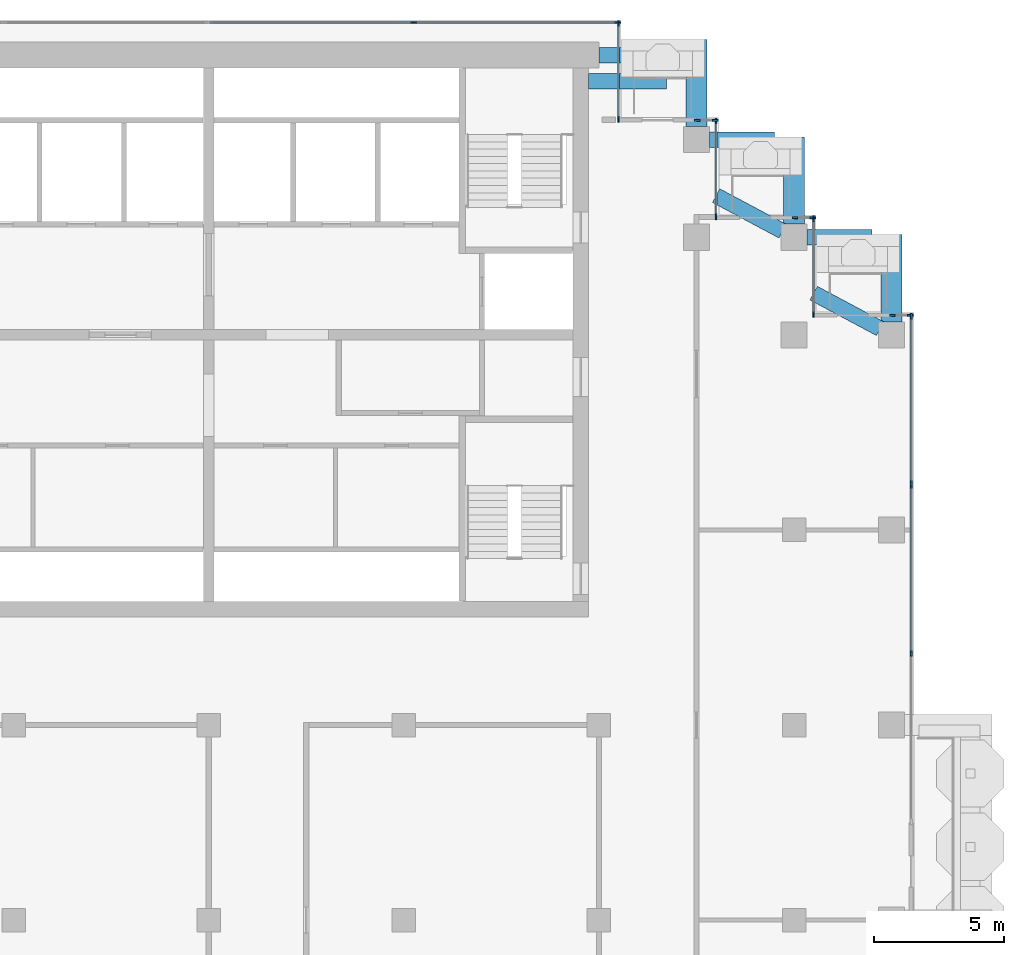
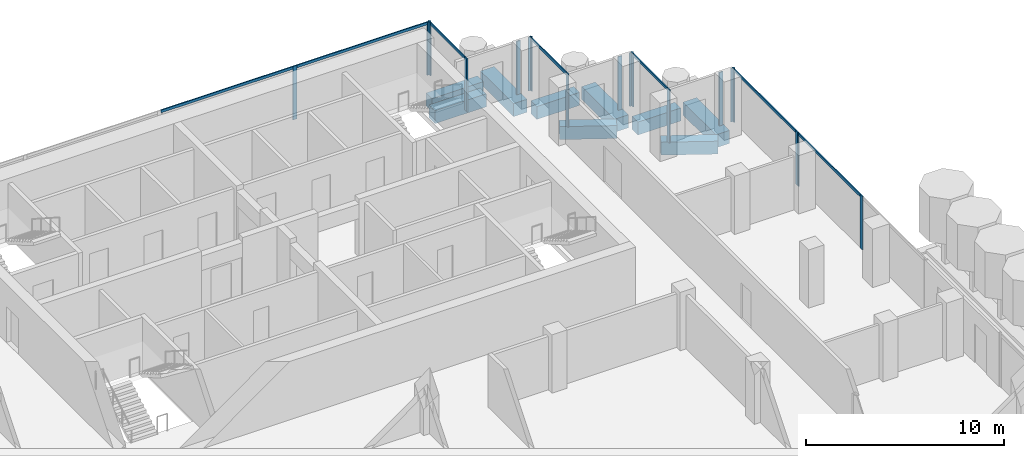
# One storey, part 6 of 17: 25 members, 9 beams, 9 elements without a shape of their own.
"""IFC4 building model written with IfcOpenShell, lengths in metres."""

from ifc_helpers import new_model, si_unit, direction, frame, origin, origin_2d, place, context, subcontext, project, spatial, rectangle, extrude, material, material_profile, profile_set, type_object, element, aggregate, save


model = new_model("IFC4")

# Units and contexts
model_context = context("Model", 3, precision=1e-05, world=origin(), true_north=direction((0.0, 1.0)))
body_context = subcontext(model_context, "Body", "Model", "MODEL_VIEW")
ifc_project = project(units=[si_unit("LENGTHUNIT", "METRE"), si_unit("AREAUNIT", "SQUARE_METRE"), si_unit("VOLUMEUNIT", "CUBIC_METRE"), si_unit("PLANEANGLEUNIT", "RADIAN"), si_unit("MASSUNIT", "GRAM", prefix="KILO")], contexts=[model_context])

# Site, building, storey
site_placement = place(None, origin())
site = spatial("IfcSite", under=ifc_project, at=site_placement, CompositionType="ELEMENT")
building_placement = place(site_placement, origin())
building = spatial("IfcBuilding", under=site, at=building_placement, Name="Pilkhan Gate Tower", CompositionType="ELEMENT")
storey_placement = place(building_placement, frame((0.0, 0.0, 213.89990234375)))
storey = spatial("IfcBuildingStorey", under=building, at=storey_placement, Name="L55", CompositionType="ELEMENT", Elevation=213.89990234375)

# Beams
ifc_material_1 = material(Name="Concrete C50/60", Category="concrete")
ifc_material_profile_1 = material_profile(ifc_material_1, rectangle(XDim=0.60009765625, YDim=0.800048828125, at=origin_2d()), Name="RC 600x800")
ifc_profile_set_1 = profile_set([ifc_material_profile_1], Name="Concrete C50/60")
beam_type_1 = type_object("IfcBeamType", Name="Cantilever beam CB1 RC 600x800 C50/60", PredefinedType="BEAM", material=ifc_profile_set_1)
for number, where, z_axis, x_axis, name in (
    (1, (90.0, 93.25, -0.699951171875), (1.0, 0.0, 0.0), (0.0, 1.0, 0.0), "Balcony beam NE.2 L55"),
    (2, (89.60009765625, 92.25, -0.699951171875), (1.0, 0.0, 0.0), (0.0, 1.0, 0.0), "Balcony beam NE.3 L55"),
):
    element("IfcBeam", number, at=place(storey_placement, frame(where, z_axis=z_axis, x_axis=x_axis)), inside=storey, type_object=beam_type_1, Name=name, PredefinedType="BEAM", context=body_context, shape_type="SweptSolid", body=[
        extrude(rectangle(XDim=0.60009765625, YDim=0.800048828125, at=origin_2d()), origin(), (0.0, 0.0, 1.0), 3.0),
    ])
beam_1_placement = place(storey_placement, frame((94.25, 90.0, -0.699951171875), z_axis=(1.0, 0.0, 0.0), x_axis=(0.0, 1.0, 0.0)))
element("IfcBeam", 3, at=beam_1_placement, inside=storey, type_object=beam_type_1, Name="Balcony beam NE1.2 L55", PredefinedType="BEAM", context=body_context, shape_type="SweptSolid", body=[
    extrude(rectangle(XDim=0.60009765625, YDim=0.800048828125, at=origin_2d()), origin(), (0.0, 0.0, 1.0), 2.5),
])
beam_2_placement = place(storey_placement, frame((97.058837890625, 86.4853515625, -0.699951171875), z_axis=(-0.882348280344, 0.470596974251, 0.0), x_axis=(-0.470596974251, -0.882348280344, 0.0)))
element("IfcBeam", 4, at=beam_2_placement, inside=storey, type_object=beam_type_1, Name="Balcony beam NE1.3 L55", PredefinedType="BEAM", context=body_context, shape_type="SweptSolid", body=[
    extrude(rectangle(XDim=0.60009765625, YDim=0.800048828125, at=origin_2d()), origin(), (0.0, 0.0, 1.0), 2.900146484375),
])
beam_3_placement = place(storey_placement, frame((98.0, 86.25, -0.699951171875), z_axis=(1.0, 0.0, 0.0), x_axis=(0.0, 1.0, 0.0)))
element("IfcBeam", 5, at=beam_3_placement, inside=storey, type_object=beam_type_1, Name="Balcony beam NE2.2 L55", PredefinedType="BEAM", context=body_context, shape_type="SweptSolid", body=[
    extrude(rectangle(XDim=0.60009765625, YDim=0.800048828125, at=origin_2d()), origin(), (0.0, 0.0, 1.0), 2.5),
])
beam_4_placement = place(storey_placement, frame((100.808837890625, 82.7353515625, -0.699951171875), z_axis=(-0.882348280344, 0.470596974251, 0.0), x_axis=(-0.470596974251, -0.882348280344, 0.0)))
element("IfcBeam", 6, at=beam_4_placement, inside=storey, type_object=beam_type_1, Name="Balcony beam NE2.3 L55", PredefinedType="BEAM", context=body_context, shape_type="SweptSolid", body=[
    extrude(rectangle(XDim=0.60009765625, YDim=0.800048828125, at=origin_2d()), origin(), (0.0, 0.0, 1.0), 2.900146484375),
])
ifc_material_profile_2 = material_profile(ifc_material_1, rectangle(XDim=0.800048828125, YDim=0.800048828125, at=origin_2d()), Name="RC 800x800")
ifc_profile_set_2 = profile_set([ifc_material_profile_2], Name="Concrete C50/60")
beam_type_2 = type_object("IfcBeamType", Name="Cantilever beam CB2 RC 800x800 C50/60", PredefinedType="BEAM", material=ifc_profile_set_2)
for number, where, z_axis, x_axis, name in (
    (7, (93.75, 90.5, -0.699951171875), (0.0, 1.0, 0.0), (-1.0, 0.0, 0.0), "Balcony beam NE.1 L55"),
    (8, (97.5, 86.75, -0.699951171875), (0.0, 1.0, 0.0), (-1.0, 0.0, 0.0), "Balcony beam NE1.1 L55"),
    (9, (101.25, 83.0, -0.699951171875), (0.0, 1.0, 0.0), (-1.0, 0.0, 0.0), "Balcony beam NE2.1 L55"),
):
    element("IfcBeam", number, at=place(storey_placement, frame(where, z_axis=z_axis, x_axis=x_axis)), inside=storey, type_object=beam_type_2, Name=name, PredefinedType="BEAM", context=body_context, shape_type="SweptSolid", body=[
        extrude(rectangle(XDim=0.800048828125, YDim=0.800048828125, at=origin_2d()), origin(), (0.0, 0.0, 1.0), 3.35009765625),
    ])

# Curtain wall, members
ifc_material_2 = material(Name="Pale anodised aluminium, clear low-iron double glazing", Category="aluminium")
curtain_wall_type = type_object("IfcCurtainWallType", Name="Office unitised curtain wall CW-O2", PredefinedType="USERDEFINED", material=ifc_material_2)
curtain_wall_1_placement = place(storey_placement, origin())
curtain_wall_1 = element("IfcCurtainWall", 10, at=curtain_wall_1_placement, inside=storey, type_object=curtain_wall_type, Name="Office unitised curtain wall CW-O2 L55 E", ObjectType="UNITISED CURTAIN WALL", PredefinedType="USERDEFINED")
ifc_material_3 = material(Name="Pale anodised aluminium", Category="aluminium")
ifc_material_profile_3 = material_profile(ifc_material_3, rectangle(XDim=0.06494140625, YDim=0.22509765625, at=origin_2d()), Name="Mullion 225x65")
ifc_profile_set_3 = profile_set([ifc_material_profile_3], Name="Pale anodised aluminium")
member_type_1 = type_object("IfcMemberType", Name="Mullion CW-O2 225x65", PredefinedType="MULLION", material=ifc_profile_set_3)
member_1_placement = place(storey_placement, frame((102.0, 70.25, 0.0), z_axis=(0.0, 0.0, 1.0), x_axis=(-1.0, 0.0, 0.0)))
member_1 = element("IfcMember", 11, at=member_1_placement, type_object=member_type_1, Name="CW-O2 mullion 2", PredefinedType="MULLION", context=body_context, shape_type="SweptSolid", body=[
    extrude(rectangle(XDim=0.06494140625, YDim=0.22509765625, at=origin_2d()), origin(), (0.0, 0.0, 1.0), 3.300048828125),
])
member_2_placement = place(storey_placement, frame((102.0, 76.717529296875, 0.0), z_axis=(0.0, 0.0, 1.0), x_axis=(-1.0, 0.0, 0.0)))
member_2 = element("IfcMember", 12, at=member_2_placement, type_object=member_type_1, Name="CW-O2 mullion 3", PredefinedType="MULLION", context=body_context, shape_type="SweptSolid", body=[
    extrude(rectangle(XDim=0.06494140625, YDim=0.22509765625, at=origin_2d()), origin(), (0.0, 0.0, 1.0), 3.300048828125),
])

curtain_wall_2_placement = place(storey_placement, origin())
curtain_wall_2 = element("IfcCurtainWall", 13, at=curtain_wall_2_placement, inside=storey, type_object=curtain_wall_type, Name="Office unitised curtain wall CW-O2 L55 E", ObjectType="UNITISED CURTAIN WALL", PredefinedType="USERDEFINED")
member_3_placement = place(storey_placement, frame((102.0, 76.782470703125, 0.0), z_axis=(0.0, 0.0, 1.0), x_axis=(-1.0, 0.0, 0.0)))
member_3 = element("IfcMember", 14, at=member_3_placement, type_object=member_type_1, Name="CW-O2 mullion 1", PredefinedType="MULLION", context=body_context, shape_type="SweptSolid", body=[
    extrude(rectangle(XDim=0.06494140625, YDim=0.22509765625, at=origin_2d()), origin(), (0.0, 0.0, 1.0), 3.300048828125),
])
member_4_placement = place(storey_placement, frame((102.0, 83.217529296875, 0.0), z_axis=(0.0, 0.0, 1.0), x_axis=(-1.0, 0.0, 0.0)))
member_4 = element("IfcMember", 15, at=member_4_placement, type_object=member_type_1, Name="CW-O2 mullion 2", PredefinedType="MULLION", context=body_context, shape_type="SweptSolid", body=[
    extrude(rectangle(XDim=0.06494140625, YDim=0.22509765625, at=origin_2d()), origin(), (0.0, 0.0, 1.0), 3.300048828125),
])

curtain_wall_3_placement = place(storey_placement, origin())
curtain_wall_3 = element("IfcCurtainWall", 16, at=curtain_wall_3_placement, inside=storey, type_object=curtain_wall_type, Name="Office unitised curtain wall CW-O2 L55 N", ObjectType="UNITISED CURTAIN WALL", PredefinedType="USERDEFINED")
member_5_placement = place(storey_placement, frame((101.282470703125, 83.25, 0.0), z_axis=(0.0, 0.0, 1.0), x_axis=(0.0, 1.0, 0.0)))
member_5 = element("IfcMember", 17, at=member_5_placement, type_object=member_type_1, Name="CW-O2 mullion 1", PredefinedType="MULLION", context=body_context, shape_type="SweptSolid", body=[
    extrude(rectangle(XDim=0.06494140625, YDim=0.22509765625, at=origin_2d()), origin(), (0.0, 0.0, 1.0), 3.300048828125),
])
member_6_placement = place(storey_placement, frame((101.967529296875, 83.25, 0.0), z_axis=(0.0, 0.0, 1.0), x_axis=(0.0, 1.0, 0.0)))
member_6 = element("IfcMember", 18, at=member_6_placement, type_object=member_type_1, Name="CW-O2 mullion 2", PredefinedType="MULLION", context=body_context, shape_type="SweptSolid", body=[
    extrude(rectangle(XDim=0.06494140625, YDim=0.22509765625, at=origin_2d()), origin(), (0.0, 0.0, 1.0), 3.300048828125),
])
aggregate(curtain_wall_3, [member_5, member_6])

curtain_wall_4_placement = place(storey_placement, origin())
curtain_wall_4 = element("IfcCurtainWall", 19, at=curtain_wall_4_placement, inside=storey, type_object=curtain_wall_type, Name="Office unitised curtain wall CW-O2 L55 E", ObjectType="UNITISED CURTAIN WALL", PredefinedType="USERDEFINED")
member_7_placement = place(storey_placement, frame((98.25, 83.282470703125, 0.0), z_axis=(0.0, 0.0, 1.0), x_axis=(-1.0, 0.0, 0.0)))
member_7 = element("IfcMember", 20, at=member_7_placement, type_object=member_type_1, Name="CW-O2 mullion 1", PredefinedType="MULLION", context=body_context, shape_type="SweptSolid", body=[
    extrude(rectangle(XDim=0.06494140625, YDim=0.22509765625, at=origin_2d()), origin(), (0.0, 0.0, 1.0), 3.300048828125),
])
member_8_placement = place(storey_placement, frame((98.25, 86.967529296875, 0.0), z_axis=(0.0, 0.0, 1.0), x_axis=(-1.0, 0.0, 0.0)))
member_8 = element("IfcMember", 21, at=member_8_placement, type_object=member_type_1, Name="CW-O2 mullion 2", PredefinedType="MULLION", context=body_context, shape_type="SweptSolid", body=[
    extrude(rectangle(XDim=0.06494140625, YDim=0.22509765625, at=origin_2d()), origin(), (0.0, 0.0, 1.0), 3.300048828125),
])

curtain_wall_5_placement = place(storey_placement, origin())
curtain_wall_5 = element("IfcCurtainWall", 22, at=curtain_wall_5_placement, inside=storey, type_object=curtain_wall_type, Name="Office unitised curtain wall CW-O2 L55 N", ObjectType="UNITISED CURTAIN WALL", PredefinedType="USERDEFINED")
member_9_placement = place(storey_placement, frame((97.532470703125, 87.0, 0.0), z_axis=(0.0, 0.0, 1.0), x_axis=(0.0, 1.0, 0.0)))
member_9 = element("IfcMember", 23, at=member_9_placement, type_object=member_type_1, Name="CW-O2 mullion 1", PredefinedType="MULLION", context=body_context, shape_type="SweptSolid", body=[
    extrude(rectangle(XDim=0.06494140625, YDim=0.22509765625, at=origin_2d()), origin(), (0.0, 0.0, 1.0), 3.300048828125),
])
member_10_placement = place(storey_placement, frame((98.217529296875, 87.0, 0.0), z_axis=(0.0, 0.0, 1.0), x_axis=(0.0, 1.0, 0.0)))
member_10 = element("IfcMember", 24, at=member_10_placement, type_object=member_type_1, Name="CW-O2 mullion 2", PredefinedType="MULLION", context=body_context, shape_type="SweptSolid", body=[
    extrude(rectangle(XDim=0.06494140625, YDim=0.22509765625, at=origin_2d()), origin(), (0.0, 0.0, 1.0), 3.300048828125),
])
aggregate(curtain_wall_5, [member_9, member_10])

curtain_wall_6_placement = place(storey_placement, origin())
curtain_wall_6 = element("IfcCurtainWall", 25, at=curtain_wall_6_placement, inside=storey, type_object=curtain_wall_type, Name="Office unitised curtain wall CW-O2 L55 E", ObjectType="UNITISED CURTAIN WALL", PredefinedType="USERDEFINED")
member_11_placement = place(storey_placement, frame((94.5, 87.032470703125, 0.0), z_axis=(0.0, 0.0, 1.0), x_axis=(-1.0, 0.0, 0.0)))
member_11 = element("IfcMember", 26, at=member_11_placement, type_object=member_type_1, Name="CW-O2 mullion 1", PredefinedType="MULLION", context=body_context, shape_type="SweptSolid", body=[
    extrude(rectangle(XDim=0.06494140625, YDim=0.22509765625, at=origin_2d()), origin(), (0.0, 0.0, 1.0), 3.300048828125),
])
member_12_placement = place(storey_placement, frame((94.5, 90.717529296875, 0.0), z_axis=(0.0, 0.0, 1.0), x_axis=(-1.0, 0.0, 0.0)))
member_12 = element("IfcMember", 27, at=member_12_placement, type_object=member_type_1, Name="CW-O2 mullion 2", PredefinedType="MULLION", context=body_context, shape_type="SweptSolid", body=[
    extrude(rectangle(XDim=0.06494140625, YDim=0.22509765625, at=origin_2d()), origin(), (0.0, 0.0, 1.0), 3.300048828125),
])

curtain_wall_7_placement = place(storey_placement, origin())
curtain_wall_7 = element("IfcCurtainWall", 28, at=curtain_wall_7_placement, inside=storey, type_object=curtain_wall_type, Name="Office unitised curtain wall CW-O2 L55 N", ObjectType="UNITISED CURTAIN WALL", PredefinedType="USERDEFINED")
member_13_placement = place(storey_placement, frame((93.782470703125, 90.75, 0.0), z_axis=(0.0, 0.0, 1.0), x_axis=(0.0, 1.0, 0.0)))
member_13 = element("IfcMember", 29, at=member_13_placement, type_object=member_type_1, Name="CW-O2 mullion 1", PredefinedType="MULLION", context=body_context, shape_type="SweptSolid", body=[
    extrude(rectangle(XDim=0.06494140625, YDim=0.22509765625, at=origin_2d()), origin(), (0.0, 0.0, 1.0), 3.300048828125),
])
member_14_placement = place(storey_placement, frame((94.467529296875, 90.75, 0.0), z_axis=(0.0, 0.0, 1.0), x_axis=(0.0, 1.0, 0.0)))
member_14 = element("IfcMember", 30, at=member_14_placement, type_object=member_type_1, Name="CW-O2 mullion 2", PredefinedType="MULLION", context=body_context, shape_type="SweptSolid", body=[
    extrude(rectangle(XDim=0.06494140625, YDim=0.22509765625, at=origin_2d()), origin(), (0.0, 0.0, 1.0), 3.300048828125),
])
aggregate(curtain_wall_7, [member_13, member_14])

curtain_wall_8_placement = place(storey_placement, origin())
curtain_wall_8 = element("IfcCurtainWall", 31, at=curtain_wall_8_placement, inside=storey, type_object=curtain_wall_type, Name="Office unitised curtain wall CW-O2 L55 E", ObjectType="UNITISED CURTAIN WALL", PredefinedType="USERDEFINED")
member_15_placement = place(storey_placement, frame((90.75, 90.782470703125, 0.0), z_axis=(0.0, 0.0, 1.0), x_axis=(-1.0, 0.0, 0.0)))
member_15 = element("IfcMember", 32, at=member_15_placement, type_object=member_type_1, Name="CW-O2 mullion 1", PredefinedType="MULLION", context=body_context, shape_type="SweptSolid", body=[
    extrude(rectangle(XDim=0.06494140625, YDim=0.22509765625, at=origin_2d()), origin(), (0.0, 0.0, 1.0), 3.300048828125),
])
member_16_placement = place(storey_placement, frame((90.75, 94.467529296875, 0.0), z_axis=(0.0, 0.0, 1.0), x_axis=(-1.0, 0.0, 0.0)))
member_16 = element("IfcMember", 33, at=member_16_placement, type_object=member_type_1, Name="CW-O2 mullion 2", PredefinedType="MULLION", context=body_context, shape_type="SweptSolid", body=[
    extrude(rectangle(XDim=0.06494140625, YDim=0.22509765625, at=origin_2d()), origin(), (0.0, 0.0, 1.0), 3.300048828125),
])

curtain_wall_9_placement = place(storey_placement, origin())
curtain_wall_9 = element("IfcCurtainWall", 34, at=curtain_wall_9_placement, inside=storey, type_object=curtain_wall_type, Name="Office unitised curtain wall CW-O2 L55 N", ObjectType="UNITISED CURTAIN WALL", PredefinedType="USERDEFINED")
member_17_placement = place(storey_placement, frame((82.875, 94.5, 0.0), z_axis=(0.0, 0.0, 1.0), x_axis=(0.0, 1.0, 0.0)))
member_17 = element("IfcMember", 35, at=member_17_placement, type_object=member_type_1, Name="CW-O2 mullion 2", PredefinedType="MULLION", context=body_context, shape_type="SweptSolid", body=[
    extrude(rectangle(XDim=0.06494140625, YDim=0.22509765625, at=origin_2d()), origin(), (0.0, 0.0, 1.0), 3.300048828125),
])
member_18_placement = place(storey_placement, frame((90.717529296875, 94.5, 0.0), z_axis=(0.0, 0.0, 1.0), x_axis=(0.0, 1.0, 0.0)))
member_18 = element("IfcMember", 36, at=member_18_placement, type_object=member_type_1, Name="CW-O2 mullion 3", PredefinedType="MULLION", context=body_context, shape_type="SweptSolid", body=[
    extrude(rectangle(XDim=0.06494140625, YDim=0.22509765625, at=origin_2d()), origin(), (0.0, 0.0, 1.0), 3.300048828125),
])

# Member
ifc_material_profile_4 = material_profile(ifc_material_3, rectangle(XDim=0.06494140625, YDim=0.1650390625, at=origin_2d()), Name="Transom 165x65")
ifc_profile_set_4 = profile_set([ifc_material_profile_4], Name="Pale anodised aluminium")
member_type_2 = type_object("IfcMemberType", Name="Transom CW-O2 165x65", PredefinedType="USERDEFINED", material=ifc_profile_set_4)
member_19_placement = place(storey_placement, frame((102.0, 70.282470703125, 3.217529296875), z_axis=(0.0, 1.0, 0.0), x_axis=(-1.0, 0.0, 0.0)))
member_19 = element("IfcMember", 37, at=member_19_placement, type_object=member_type_2, Name="CW-O2 transom 2", ObjectType="TRANSOM", PredefinedType="USERDEFINED", context=body_context, shape_type="SweptSolid", body=[
    extrude(rectangle(XDim=0.06494140625, YDim=0.1650390625, at=origin_2d()), origin(), (0.0, 0.0, 1.0), 6.402587890625),
])

aggregate(curtain_wall_1, [member_1, member_2, member_19])

member_20_placement = place(storey_placement, frame((102.0, 76.81494140625, 3.217529296875), z_axis=(0.0, 1.0, 0.0), x_axis=(-1.0, 0.0, 0.0)))
member_20 = element("IfcMember", 38, at=member_20_placement, type_object=member_type_2, Name="CW-O2 transom 1", ObjectType="TRANSOM", PredefinedType="USERDEFINED", context=body_context, shape_type="SweptSolid", body=[
    extrude(rectangle(XDim=0.06494140625, YDim=0.1650390625, at=origin_2d()), origin(), (0.0, 0.0, 1.0), 6.3701171875),
])

aggregate(curtain_wall_2, [member_3, member_4, member_20])

member_21_placement = place(storey_placement, frame((98.25, 83.31494140625, 3.217529296875), z_axis=(0.0, 1.0, 0.0), x_axis=(-1.0, 0.0, 0.0)))
member_21 = element("IfcMember", 39, at=member_21_placement, type_object=member_type_2, Name="CW-O2 transom 1", ObjectType="TRANSOM", PredefinedType="USERDEFINED", context=body_context, shape_type="SweptSolid", body=[
    extrude(rectangle(XDim=0.06494140625, YDim=0.1650390625, at=origin_2d()), origin(), (0.0, 0.0, 1.0), 3.6201171875),
])

aggregate(curtain_wall_4, [member_7, member_8, member_21])

member_22_placement = place(storey_placement, frame((94.5, 87.06494140625, 3.217529296875), z_axis=(0.0, 1.0, 0.0), x_axis=(-1.0, 0.0, 0.0)))
member_22 = element("IfcMember", 40, at=member_22_placement, type_object=member_type_2, Name="CW-O2 transom 1", ObjectType="TRANSOM", PredefinedType="USERDEFINED", context=body_context, shape_type="SweptSolid", body=[
    extrude(rectangle(XDim=0.06494140625, YDim=0.1650390625, at=origin_2d()), origin(), (0.0, 0.0, 1.0), 3.6201171875),
])

aggregate(curtain_wall_6, [member_11, member_12, member_22])

member_23_placement = place(storey_placement, frame((90.75, 90.81494140625, 3.217529296875), z_axis=(0.0, 1.0, 0.0), x_axis=(-1.0, 0.0, 0.0)))
member_23 = element("IfcMember", 41, at=member_23_placement, type_object=member_type_2, Name="CW-O2 transom 1", ObjectType="TRANSOM", PredefinedType="USERDEFINED", context=body_context, shape_type="SweptSolid", body=[
    extrude(rectangle(XDim=0.06494140625, YDim=0.1650390625, at=origin_2d()), origin(), (0.0, 0.0, 1.0), 3.6201171875),
])

aggregate(curtain_wall_8, [member_15, member_16, member_23])

member_24_placement = place(storey_placement, frame((75.06494140625, 94.5, 3.217529296875), z_axis=(1.0, 0.0, 0.0), x_axis=(0.0, 1.0, 0.0)))
member_24 = element("IfcMember", 42, at=member_24_placement, type_object=member_type_2, Name="CW-O2 transom 1", ObjectType="TRANSOM", PredefinedType="USERDEFINED", context=body_context, shape_type="SweptSolid", body=[
    extrude(rectangle(XDim=0.06494140625, YDim=0.1650390625, at=origin_2d()), origin(), (0.0, 0.0, 1.0), 7.777587890625),
])

member_25_placement = place(storey_placement, frame((82.907470703125, 94.5, 3.217529296875), z_axis=(1.0, 0.0, 0.0), x_axis=(0.0, 1.0, 0.0)))
member_25 = element("IfcMember", 43, at=member_25_placement, type_object=member_type_2, Name="CW-O2 transom 2", ObjectType="TRANSOM", PredefinedType="USERDEFINED", context=body_context, shape_type="SweptSolid", body=[
    extrude(rectangle(XDim=0.06494140625, YDim=0.1650390625, at=origin_2d()), origin(), (0.0, 0.0, 1.0), 7.777587890625),
])

aggregate(curtain_wall_9, [member_17, member_18, member_24, member_25])

save(model, "model.ifc")
